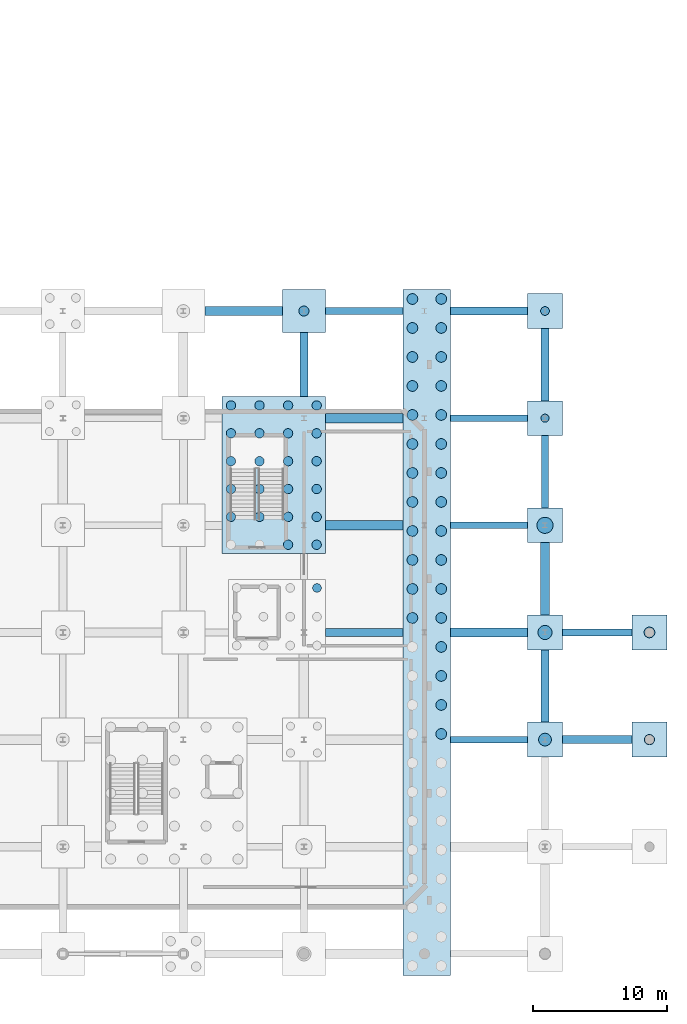
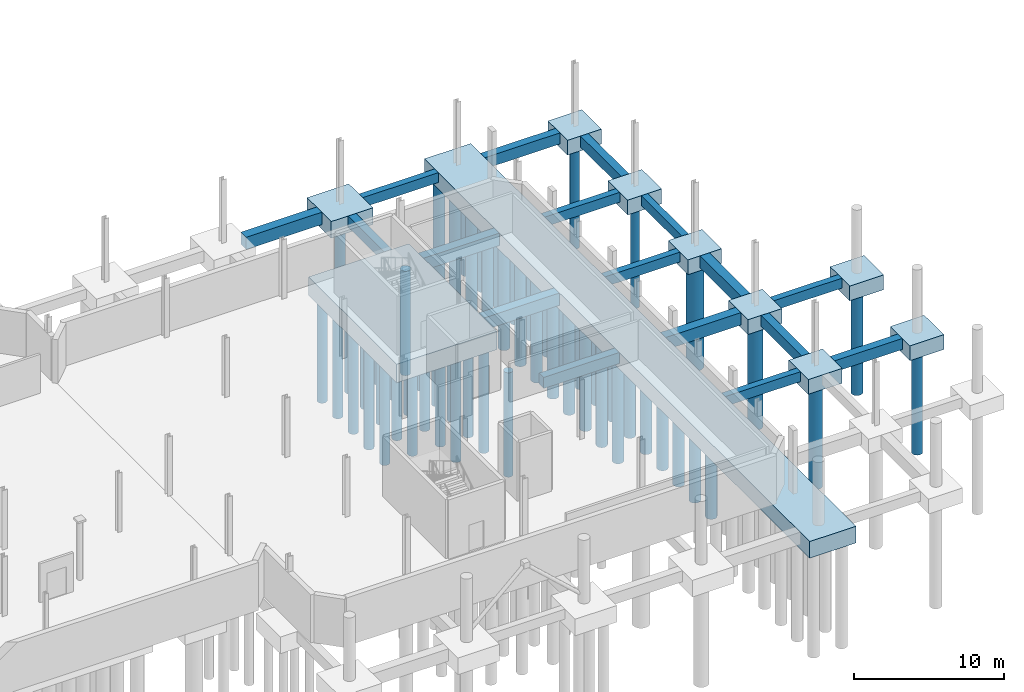
# One storey, part 9 of 37: 59 piles, 27 footings.
"""IFC4 building model written with IfcOpenShell, lengths in metres."""

import ifcopenshell
import ifcopenshell.guid

model = None  # the IFC model being written
_history = None  # IfcOwnerHistory: only IFC2X3 demands one
_inside = {}  # id of a spatial element -> (the spatial element, [elements in it])
_under = {}  # id of a project, library or spatial element -> (it, [spatial elements below it])
_declared = {}  # id of a project -> (the project, [libraries it declares])
_typed = {}  # id of a type object -> (the type object, [elements of that type])
_made_of = {}  # id of a material, layer set ... -> (it, [elements and type objects made of it])


def new_model(schema):
    """Start an empty IFC model of exactly this schema.

    Asked for "IFC4X3", IfcOpenShell would pick the latest addendum, in which some entities
    have other attributes; the version numbers below select the first issue.
    IFC2X3 requires an IfcOwnerHistory on every rooted entity: one is made here for all.
    """
    global model, _history
    if schema == "IFC4X3":
        model = ifcopenshell.file(schema_version=(4, 3, 0, 0))
    else:
        model = ifcopenshell.file(schema=schema)
    _inside.clear()
    _under.clear()
    _declared.clear()
    _typed.clear()
    _made_of.clear()
    _history = None
    if model.schema == "IFC2X3":
        org = make("IfcOrganization", Name="unknown")
        user = make(
            "IfcPersonAndOrganization",
            ThePerson=make("IfcPerson", FamilyName="unknown"),
            TheOrganization=org,
        )
        app = make(
            "IfcApplication",
            ApplicationDeveloper=org,
            Version="unknown",
            ApplicationFullName="unknown",
            ApplicationIdentifier="unknown",
        )
        _history = make(
            "IfcOwnerHistory",
            OwningUser=user,
            OwningApplication=app,
            ChangeAction="ADDED",
            CreationDate=0,
        )
    return model


def make(cls, **values):
    """One entity of the class cls with the attributes given. An attribute that is None is left unset."""
    return model.create_entity(
        cls, **{name: value for name, value in values.items() if value is not None}
    )


def rooted(cls, **values):
    """An entity with a GlobalId (a new one), such as an element, a storey or a relation."""
    return make(cls, GlobalId=ifcopenshell.guid.new(), OwnerHistory=_history, **values)


def si_unit(unit_type, name, prefix=None):
    """IfcSIUnit, for example si_unit("LENGTHUNIT", "METRE", prefix="MILLI")."""
    return make("IfcSIUnit", UnitType=unit_type, Prefix=prefix, Name=name)


def assignment(units):
    """IfcUnitAssignment: the units of a project."""
    return None if units is None else make("IfcUnitAssignment", Units=units)


def point(xyz):
    """IfcCartesianPoint."""
    return None if xyz is None else make("IfcCartesianPoint", Coordinates=xyz)


def direction(xyz):
    """IfcDirection."""
    return None if xyz is None else make("IfcDirection", DirectionRatios=xyz)


def frame(location, z_axis=None, x_axis=None):
    """IfcAxis2Placement3D, a coordinate frame: its origin and axes. An axis left out is left unset."""
    return make(
        "IfcAxis2Placement3D",
        Location=point(location),
        Axis=direction(z_axis),
        RefDirection=direction(x_axis),
    )


def frame_2d(location, x_axis=None):
    """IfcAxis2Placement2D, a coordinate frame in the plane: its origin and x axis."""
    return make(
        "IfcAxis2Placement2D", Location=point(location), RefDirection=direction(x_axis)
    )


def origin():
    """The frame at (0, 0, 0) with its axes left unset."""
    return frame((0.0, 0.0, 0.0))


def origin_2d():
    """The frame at (0, 0) in the plane with its x axis left unset."""
    return frame_2d((0.0, 0.0))


def place(relative_to, where):
    """IfcLocalPlacement: puts the frame where relative to a parent placement (None: the world)."""
    return make(
        "IfcLocalPlacement", PlacementRelTo=relative_to, RelativePlacement=where
    )


def context(
    kind, dimensions, precision=None, world=None, true_north=None, identifier=None
):
    """IfcGeometricRepresentationContext, for example the 3D "Model" context."""
    return make(
        "IfcGeometricRepresentationContext",
        ContextIdentifier=identifier,
        ContextType=kind,
        CoordinateSpaceDimension=dimensions,
        Precision=precision,
        WorldCoordinateSystem=world,
        TrueNorth=true_north,
    )


def subcontext(parent, identifier, kind, view, scale=None):
    """IfcGeometricRepresentationSubContext, for example "Body" below "Model"."""
    return make(
        "IfcGeometricRepresentationSubContext",
        ContextIdentifier=identifier,
        ContextType=kind,
        ParentContext=parent,
        TargetScale=scale,
        TargetView=view,
    )


def project(units=None, contexts=None):
    """IfcProject with its units and contexts."""
    return rooted(
        "IfcProject",
        Name="project",
        RepresentationContexts=contexts,
        UnitsInContext=assignment(units),
    )


def spatial(cls, under=None, at=None, **own):
    """A site, building, storey or space (cls), placed at a placement, below another one or the project."""
    s = rooted(cls, ObjectPlacement=at, **own)
    if under is not None:
        _under.setdefault(under.id(), (under, []))[1].append(s)
    return s


def polyline(points):
    """IfcPolyline through the points."""
    return make("IfcPolyline", Points=[point(p) for p in points])


def profile(cls, at=None, kind="AREA", **sizes):
    """A parametric profile (cls). Its sizes go by their IFC names, for example OverallWidth=200.0."""
    return make(cls, ProfileType=kind, Position=at, **sizes)


def rectangle(**sizes):
    """IfcRectangleProfileDef."""
    return profile("IfcRectangleProfileDef", **sizes)


def circle(**sizes):
    """IfcCircleProfileDef."""
    return profile("IfcCircleProfileDef", **sizes)


def outline(outer, holes=None, kind="AREA"):
    """IfcArbitraryClosedProfileDef: a profile drawn as a closed curve; with holes, ...WithVoids."""
    if holes is None:
        return make("IfcArbitraryClosedProfileDef", ProfileType=kind, OuterCurve=outer)
    return make(
        "IfcArbitraryProfileDefWithVoids",
        ProfileType=kind,
        OuterCurve=outer,
        InnerCurves=holes,
    )


def extrude(swept, where, along, depth):
    """IfcExtrudedAreaSolid: the profile swept, set in the frame where, extruded along a direction by depth."""
    return make(
        "IfcExtrudedAreaSolid",
        SweptArea=swept,
        Position=where,
        ExtrudedDirection=direction(along),
        Depth=depth,
    )


def shape(context_of_items, identifier, shape_type, items):
    """IfcShapeRepresentation: the items that make up one representation, for example the "Body"."""
    return make(
        "IfcShapeRepresentation",
        ContextOfItems=context_of_items,
        RepresentationIdentifier=identifier,
        RepresentationType=shape_type,
        Items=items,
    )


def material(Name=None, Category=None):
    """IfcMaterial."""
    return make("IfcMaterial", Name=Name, Category=Category)


def material_profile(
    of_material, cross_section, Name=None, Category=None, Priority=None
):
    """IfcMaterialProfile: a cross section and its material."""
    return make(
        "IfcMaterialProfile",
        Name=Name,
        Material=of_material,
        Profile=cross_section,
        Priority=Priority,
        Category=Category,
    )


def profile_set(profiles, Name=None, composite=None):
    """IfcMaterialProfileSet."""
    return make(
        "IfcMaterialProfileSet",
        Name=Name,
        MaterialProfiles=profiles,
        CompositeProfile=composite,
    )


def made_of(thing, what):
    """Note that an element or type object is made of a material, layer set ...; save() writes the relation."""
    if what is not None:
        _made_of.setdefault(what.id(), (what, []))[1].append(thing)
    return thing


def type_object(cls, material=None, **own):
    """A type object (cls), such as IfcWallType, which elements share."""
    return made_of(rooted(cls, **own), material)


def element(
    cls,
    number,
    at=None,
    inside=None,
    cuts=None,
    type_object=None,
    material=None,
    context=None,
    identifier="Body",
    shape_type=None,
    held_by="IfcProductDefinitionShape",
    body=None,
    shapes=None,
    **own,
):
    """One element of the class cls, such as IfcWall. Its Tag is "e" and its number.

    at: its placement. inside: the storey or other place that contains it. cuts: it is an
    opening in that element (IfcRelVoidsElement). A single representation is given by context,
    identifier, shape_type and body (its items); several are given by shapes. held_by: the class
    of the entity that holds the representations. save() writes the other relations.
    """
    e = rooted(cls, Tag="e%d" % number, ObjectPlacement=at, **own)
    if body is not None:
        shapes = [shape(context, identifier, shape_type, body)]
    if shapes is not None:
        e.Representation = make(held_by, Representations=shapes)
    if inside is not None:
        _inside.setdefault(inside.id(), (inside, []))[1].append(e)
    if cuts is not None:
        rooted(
            "IfcRelVoidsElement", RelatingBuildingElement=cuts, RelatedOpeningElement=e
        )
    if type_object is not None:
        _typed.setdefault(type_object.id(), (type_object, []))[1].append(e)
    return made_of(e, material)


def aggregate(whole, parts):
    """IfcRelAggregates: a whole, such as a stair, and the parts it consists of."""
    return rooted("IfcRelAggregates", RelatingObject=whole, RelatedObjects=parts)


def save(model, path):
    """Write the relations noted so far, then the file.

    IfcRelAggregates (storeys below a building ...), IfcRelContainedInSpatialStructure (elements
    in a storey), IfcRelDefinesByType, IfcRelAssociatesMaterial and IfcRelDeclares: one each for
    every whole, place, type object, material and project.
    """
    for whole, parts in _under.values():
        aggregate(whole, parts)
    for where, things in _inside.values():
        rooted(
            "IfcRelContainedInSpatialStructure",
            RelatedElements=things,
            RelatingStructure=where,
        )
    for kind, things in _typed.values():
        rooted("IfcRelDefinesByType", RelatedObjects=things, RelatingType=kind)
    for what, things in _made_of.values():
        rooted("IfcRelAssociatesMaterial", RelatedObjects=things, RelatingMaterial=what)
    for by, libraries in _declared.values():
        rooted("IfcRelDeclares", RelatingContext=by, RelatedDefinitions=libraries)
    model.write(path)


model = new_model("IFC4")

# Units and contexts
model_context = context("Model", 3, precision=1e-05, world=origin(), true_north=direction((0.0, 1.0)))
body_context = subcontext(model_context, "Body", "Model", "MODEL_VIEW")
ifc_project = project(units=[si_unit("LENGTHUNIT", "METRE"), si_unit("AREAUNIT", "SQUARE_METRE"), si_unit("VOLUMEUNIT", "CUBIC_METRE"), si_unit("PLANEANGLEUNIT", "RADIAN"), si_unit("MASSUNIT", "GRAM", prefix="KILO"), si_unit("THERMODYNAMICTEMPERATUREUNIT", "KELVIN"), si_unit("POWERUNIT", "WATT")], contexts=[model_context])

# Site, building, storey
site_placement = place(None, origin())
site = spatial("IfcSite", under=ifc_project, at=site_placement, CompositionType="ELEMENT")
building_placement = place(site_placement, origin())
building = spatial("IfcBuilding", under=site, at=building_placement, Name="Zelmaris Science Centre", CompositionType="ELEMENT")
storey_placement = place(building_placement, frame((0.0, 0.0, -4.800048828125)))
storey = spatial("IfcBuildingStorey", under=building, at=storey_placement, Name="B1", CompositionType="ELEMENT", Elevation=-4.800048828125)

# Footings
ifc_material = material(Name="Concrete C40/50", Category="concrete")
ifc_material_profile_1 = material_profile(ifc_material, rectangle(XDim=0.5, YDim=0.800048828125, at=origin_2d()), Name="FB-500X800")
ifc_profile_set_1 = profile_set([ifc_material_profile_1], Name="Concrete C40/50")
footing_type_1 = type_object("IfcFootingType", Name="Foundation Tie Beam FB-01 500x800", PredefinedType="FOOTING_BEAM", material=ifc_profile_set_1)
footing_1_placement = place(storey_placement, frame((153.0, 41.300048828125, -0.75), z_axis=(0.0, 1.0, 0.0), x_axis=(-1.0, 0.0, 0.0)))
element("IfcFooting", 1, at=footing_1_placement, inside=storey, type_object=footing_type_1, Name="Foundation tie beam 82", PredefinedType="FOOTING_BEAM", context=body_context, shape_type="SweptSolid", body=[
    extrude(rectangle(XDim=0.5, YDim=0.800048828125, at=origin_2d()), origin(), (0.0, 0.0, 1.0), 5.39990234375),
])
footing_2_placement = place(storey_placement, frame((145.949951171875, 24.0, -0.75), z_axis=(1.0, 0.0, 0.0), x_axis=(0.0, 1.0, 0.0)))
element("IfcFooting", 2, at=footing_2_placement, inside=storey, type_object=footing_type_1, Name="Foundation tie beam 124", PredefinedType="FOOTING_BEAM", context=body_context, shape_type="SweptSolid", body=[
    extrude(rectangle(XDim=0.5, YDim=0.800048828125, at=origin_2d()), origin(), (0.0, 0.0, 1.0), 5.75),
])
footing_3_placement = place(storey_placement, frame((154.300048828125, 32.0, -0.75), z_axis=(1.0, 0.0, 0.0), x_axis=(0.0, 1.0, 0.0)))
element("IfcFooting", 3, at=footing_3_placement, inside=storey, type_object=footing_type_1, Name="Foundation tie beam 142", PredefinedType="FOOTING_BEAM", context=body_context, shape_type="SweptSolid", body=[
    extrude(rectangle(XDim=0.5, YDim=0.800048828125, at=origin_2d()), origin(), (0.0, 0.0, 1.0), 5.199951171875),
])
for number, where, z_axis, x_axis, name in (
    (4, (145.949951171875, 40.0, -0.75), (1.0, 0.0, 0.0), (0.0, 1.0, 0.0), "Foundation tie beam 154"),
    (5, (145.949951171875, 48.0, -0.75), (1.0, 0.0, 0.0), (0.0, 1.0, 0.0), "Foundation tie beam 163"),
):
    element("IfcFooting", number, at=place(storey_placement, frame(where, z_axis=z_axis, x_axis=x_axis)), inside=storey, type_object=footing_type_1, Name=name, PredefinedType="FOOTING_BEAM", context=body_context, shape_type="SweptSolid", body=[
        extrude(rectangle(XDim=0.5, YDim=0.800048828125, at=origin_2d()), origin(), (0.0, 0.0, 1.0), 5.75),
    ])
footing_4_placement = place(storey_placement, frame((136.60009765625, 56.0, -0.75), z_axis=(1.0, 0.0, 0.0), x_axis=(0.0, 1.0, 0.0)))
element("IfcFooting", 6, at=footing_4_placement, inside=storey, type_object=footing_type_1, Name="Foundation tie beam 169", PredefinedType="FOOTING_BEAM", context=body_context, shape_type="SweptSolid", body=[
    extrude(rectangle(XDim=0.5, YDim=0.800048828125, at=origin_2d()), origin(), (0.0, 0.0, 1.0), 5.7998046875),
])
ifc_material_profile_2 = material_profile(ifc_material, rectangle(XDim=0.60009765625, YDim=0.89990234375, at=origin_2d()), Name="FB-600X900")
ifc_profile_set_2 = profile_set([ifc_material_profile_2], Name="Concrete C40/50")
footing_type_2 = type_object("IfcFootingType", Name="Foundation Tie Beam FB-02 600x900", PredefinedType="FOOTING_BEAM", material=ifc_profile_set_2)
footing_5_placement = place(storey_placement, frame((135.0, 49.60009765625, -0.800048828125), z_axis=(0.0, 1.0, 0.0), x_axis=(-1.0, 0.0, 0.0)))
element("IfcFooting", 7, at=footing_5_placement, inside=storey, type_object=footing_type_2, Name="Foundation tie beam 77", PredefinedType="FOOTING_BEAM", context=body_context, shape_type="SweptSolid", body=[
    extrude(rectangle(XDim=0.60009765625, YDim=0.89990234375, at=origin_2d()), origin(), (0.0, 0.0, 1.0), 4.7998046875),
])
for number, where, z_axis, x_axis, name in (
    (8, (153.0, 25.300048828125, -0.800048828125), (0.0, 1.0, 0.0), (-1.0, 0.0, 0.0), "Foundation tie beam 80"),
    (9, (153.0, 49.300048828125, -0.800048828125), (0.0, 1.0, 0.0), (-1.0, 0.0, 0.0), "Foundation tie beam 83"),
):
    element("IfcFooting", number, at=place(storey_placement, frame(where, z_axis=z_axis, x_axis=x_axis)), inside=storey, type_object=footing_type_2, Name=name, PredefinedType="FOOTING_BEAM", context=body_context, shape_type="SweptSolid", body=[
        extrude(rectangle(XDim=0.60009765625, YDim=0.89990234375, at=origin_2d()), origin(), (0.0, 0.0, 1.0), 5.39990234375),
    ])
footing_6_placement = place(storey_placement, frame((154.300048828125, 24.0, -0.800048828125), z_axis=(1.0, 0.0, 0.0), x_axis=(0.0, 1.0, 0.0)))
element("IfcFooting", 10, at=footing_6_placement, inside=storey, type_object=footing_type_2, Name="Foundation tie beam 125", PredefinedType="FOOTING_BEAM", context=body_context, shape_type="SweptSolid", body=[
    extrude(rectangle(XDim=0.60009765625, YDim=0.89990234375, at=origin_2d()), origin(), (0.0, 0.0, 1.0), 5.199951171875),
])
footing_7_placement = place(storey_placement, frame((136.60009765625, 32.0, -0.800048828125), z_axis=(1.0, 0.0, 0.0), x_axis=(0.0, 1.0, 0.0)))
element("IfcFooting", 11, at=footing_7_placement, inside=storey, type_object=footing_type_2, Name="Foundation tie beam 140", PredefinedType="FOOTING_BEAM", context=body_context, shape_type="SweptSolid", body=[
    extrude(rectangle(XDim=0.60009765625, YDim=0.89990234375, at=origin_2d()), origin(), (0.0, 0.0, 1.0), 5.7998046875),
])
footing_8_placement = place(storey_placement, frame((145.949951171875, 56.0, -0.800048828125), z_axis=(1.0, 0.0, 0.0), x_axis=(0.0, 1.0, 0.0)))
element("IfcFooting", 12, at=footing_8_placement, inside=storey, type_object=footing_type_2, Name="Foundation tie beam 170", PredefinedType="FOOTING_BEAM", context=body_context, shape_type="SweptSolid", body=[
    extrude(rectangle(XDim=0.60009765625, YDim=0.89990234375, at=origin_2d()), origin(), (0.0, 0.0, 1.0), 5.75),
])
ifc_material_profile_3 = material_profile(ifc_material, rectangle(XDim=0.699951171875, YDim=1.0, at=origin_2d()), Name="FB-700X1000")
ifc_profile_set_3 = profile_set([ifc_material_profile_3], Name="Concrete C40/50")
footing_type_3 = type_object("IfcFootingType", Name="Foundation Tie Beam FB-03 700x1000", PredefinedType="FOOTING_BEAM", material=ifc_profile_set_3)
footing_9_placement = place(storey_placement, frame((153.0, 33.300048828125, -0.849853515625), z_axis=(0.0, 1.0, 0.0), x_axis=(-1.0, 0.0, 0.0)))
element("IfcFooting", 13, at=footing_9_placement, inside=storey, type_object=footing_type_3, Name="Foundation tie beam 81", PredefinedType="FOOTING_BEAM", context=body_context, shape_type="SweptSolid", body=[
    extrude(rectangle(XDim=0.699951171875, YDim=1.0, at=origin_2d()), origin(), (0.0, 0.0, 1.0), 5.39990234375),
])
footing_10_placement = place(storey_placement, frame((145.949951171875, 32.0, -0.849853515625), z_axis=(1.0, 0.0, 0.0), x_axis=(0.0, 1.0, 0.0)))
element("IfcFooting", 14, at=footing_10_placement, inside=storey, type_object=footing_type_3, Name="Foundation tie beam 141", PredefinedType="FOOTING_BEAM", context=body_context, shape_type="SweptSolid", body=[
    extrude(rectangle(XDim=0.699951171875, YDim=1.0, at=origin_2d()), origin(), (0.0, 0.0, 1.0), 5.75),
])
for number, where, z_axis, x_axis, name in (
    (15, (136.60009765625, 40.0, -0.849853515625), (1.0, 0.0, 0.0), (0.0, 1.0, 0.0), "Foundation tie beam 153"),
    (16, (136.60009765625, 48.0, -0.849853515625), (1.0, 0.0, 0.0), (0.0, 1.0, 0.0), "Foundation tie beam 162"),
    (17, (127.60009765625, 56.0, -0.849853515625), (1.0, 0.0, 0.0), (0.0, 1.0, 0.0), "Foundation tie beam 168"),
):
    element("IfcFooting", number, at=place(storey_placement, frame(where, z_axis=z_axis, x_axis=x_axis)), inside=storey, type_object=footing_type_3, Name=name, PredefinedType="FOOTING_BEAM", context=body_context, shape_type="SweptSolid", body=[
        extrude(rectangle(XDim=0.699951171875, YDim=1.0, at=origin_2d()), origin(), (0.0, 0.0, 1.0), 5.7998046875),
    ])
footing_type_4 = type_object("IfcFootingType", Name="Pile Cap PCM-2626 2600x2600x1200", PredefinedType="PILE_CAP", material=ifc_material)
footing_11_placement = place(storey_placement, frame((0.0, 0.0, -1.550048828125)))
element("IfcFooting", 18, at=footing_11_placement, inside=storey, type_object=footing_type_4, Name="Pile cap 88", PredefinedType="PILE_CAP", context=body_context, shape_type="SweptSolid", body=[
    extrude(outline(polyline([(151.699951171875, 22.699951171875), (154.300048828125, 22.699951171875), (154.300048828125, 25.300048828125), (151.699951171875, 25.300048828125), (151.699951171875, 22.699951171875)])), origin(), (0.0, 0.0, 1.0), 1.2001953125),
])
footing_12_placement = place(storey_placement, frame((0.0, 0.0, -1.550048828125)))
element("IfcFooting", 19, at=footing_12_placement, inside=storey, type_object=footing_type_4, Name="Pile cap 89", PredefinedType="PILE_CAP", context=body_context, shape_type="SweptSolid", body=[
    extrude(outline(polyline([(151.699951171875, 30.699951171875), (154.300048828125, 30.699951171875), (154.300048828125, 33.300048828125), (151.699951171875, 33.300048828125), (151.699951171875, 30.699951171875)])), origin(), (0.0, 0.0, 1.0), 1.2001953125),
])
footing_13_placement = place(storey_placement, frame((0.0, 0.0, -1.550048828125)))
element("IfcFooting", 20, at=footing_13_placement, inside=storey, type_object=footing_type_4, Name="Pile cap 90", PredefinedType="PILE_CAP", context=body_context, shape_type="SweptSolid", body=[
    extrude(outline(polyline([(151.699951171875, 38.699951171875), (154.300048828125, 38.699951171875), (154.300048828125, 41.300048828125), (151.699951171875, 41.300048828125), (151.699951171875, 38.699951171875)])), origin(), (0.0, 0.0, 1.0), 1.2001953125),
])
footing_14_placement = place(storey_placement, frame((0.0, 0.0, -1.550048828125)))
element("IfcFooting", 21, at=footing_14_placement, inside=storey, type_object=footing_type_4, Name="Pile cap 91", PredefinedType="PILE_CAP", context=body_context, shape_type="SweptSolid", body=[
    extrude(outline(polyline([(151.699951171875, 46.699951171875), (154.300048828125, 46.699951171875), (154.300048828125, 49.300048828125), (151.699951171875, 49.300048828125), (151.699951171875, 46.699951171875)])), origin(), (0.0, 0.0, 1.0), 1.2001953125),
])
footing_15_placement = place(storey_placement, frame((0.0, 0.0, -1.550048828125)))
element("IfcFooting", 22, at=footing_15_placement, inside=storey, type_object=footing_type_4, Name="Pile cap 92", PredefinedType="PILE_CAP", context=body_context, shape_type="SweptSolid", body=[
    extrude(outline(polyline([(151.699951171875, 54.699951171875), (154.300048828125, 54.699951171875), (154.300048828125, 57.300048828125), (151.699951171875, 57.300048828125), (151.699951171875, 54.699951171875)])), origin(), (0.0, 0.0, 1.0), 1.2001953125),
])
footing_16_placement = place(storey_placement, frame((0.0, 0.0, -1.550048828125)))
element("IfcFooting", 23, at=footing_16_placement, inside=storey, type_object=footing_type_4, Name="Pile cap 94", PredefinedType="PILE_CAP", context=body_context, shape_type="SweptSolid", body=[
    extrude(outline(polyline([(159.5, 22.699951171875), (162.10009765625, 22.699951171875), (162.10009765625, 25.300048828125), (159.5, 25.300048828125), (159.5, 22.699951171875)])), origin(), (0.0, 0.0, 1.0), 1.2001953125),
])
footing_17_placement = place(storey_placement, frame((0.0, 0.0, -1.550048828125)))
element("IfcFooting", 24, at=footing_17_placement, inside=storey, type_object=footing_type_4, Name="Pile cap 95", PredefinedType="PILE_CAP", context=body_context, shape_type="SweptSolid", body=[
    extrude(outline(polyline([(159.5, 30.699951171875), (162.10009765625, 30.699951171875), (162.10009765625, 33.300048828125), (159.5, 33.300048828125), (159.5, 30.699951171875)])), origin(), (0.0, 0.0, 1.0), 1.2001953125),
])
footing_type_5 = type_object("IfcFootingType", Name="Pile Cap PCM-3232 3200x3200x1350", PredefinedType="PILE_CAP", material=ifc_material)
footing_18_placement = place(storey_placement, frame((0.0, 0.0, -1.699951171875)))
element("IfcFooting", 25, at=footing_18_placement, inside=storey, type_object=footing_type_5, Name="Pile cap 84", PredefinedType="PILE_CAP", context=body_context, shape_type="SweptSolid", body=[
    extrude(outline(polyline([(133.39990234375, 54.39990234375), (136.60009765625, 54.39990234375), (136.60009765625, 57.60009765625), (133.39990234375, 57.60009765625), (133.39990234375, 54.39990234375)])), origin(), (0.0, 0.0, 1.0), 1.35009765625),
])
footing_type_6 = type_object("IfcFootingType", Name="Pile Cap PCM-36512 3600x51200x1350", PredefinedType="PILE_CAP", material=ifc_material)
footing_19_placement = place(storey_placement, frame((0.0, 0.0, -1.699951171875)))
element("IfcFooting", 26, at=footing_19_placement, inside=storey, type_object=footing_type_6, Name="Pile cap 85", PredefinedType="PILE_CAP", context=body_context, shape_type="SweptSolid", body=[
    extrude(outline(polyline([(142.39990234375, 6.39990234375), (145.949951171875, 6.39990234375), (145.949951171875, 57.60009765625), (142.39990234375, 57.60009765625), (142.39990234375, 6.39990234375)])), origin(), (0.0, 0.0, 1.0), 1.35009765625),
])
footing_type_7 = type_object("IfcFootingType", Name="Pile Cap PCM-77117 7700x11700x1500", PredefinedType="PILE_CAP", material=ifc_material)
footing_20_placement = place(storey_placement, frame((0.0, 0.0, -1.849853515625)))
element("IfcFooting", 27, at=footing_20_placement, inside=storey, type_object=footing_type_7, Name="Pile cap 83", PredefinedType="PILE_CAP", context=body_context, shape_type="SweptSolid", body=[
    extrude(outline(polyline([(128.89990234375, 37.89990234375), (136.60009765625, 37.89990234375), (136.60009765625, 49.60009765625), (128.89990234375, 49.60009765625), (128.89990234375, 37.89990234375)])), origin(), (0.0, 0.0, 1.0), 1.5),
])

# Piles
ifc_material_profile_4 = material_profile(ifc_material, circle(Radius=0.52490234375, at=origin_2d()), Name="PILE-1050")
ifc_profile_set_4 = profile_set([ifc_material_profile_4], Name="Concrete C40/50")
pile_type_1 = type_object("IfcPileType", Name="Pile PL-1050 D1050", PredefinedType="BORED", material=ifc_profile_set_4)
pile_1_placement = place(storey_placement, frame((153.0, 32.0, -1.429931640625), z_axis=(0.0, 0.0, -1.0), x_axis=(1.0, 0.0, 0.0)))
element("IfcPile", 28, at=pile_1_placement, inside=storey, type_object=pile_type_1, Name="Bored pile 89-1", PredefinedType="BORED", context=body_context, shape_type="SweptSolid", body=[
    extrude(circle(Radius=0.52490234375, at=origin_2d()), origin(), (0.0, 0.0, 1.0), 8.77001953125),
])
ifc_material_profile_5 = material_profile(ifc_material, circle(Radius=0.60009765625, at=origin_2d()), Name="PILE-1200")
ifc_profile_set_5 = profile_set([ifc_material_profile_5], Name="Concrete C40/50")
pile_type_2 = type_object("IfcPileType", Name="Pile PL-1200 D1200", PredefinedType="BORED", material=ifc_profile_set_5)
pile_2_placement = place(storey_placement, frame((153.0, 40.0, -1.429931640625), z_axis=(0.0, 0.0, -1.0), x_axis=(1.0, 0.0, 0.0)))
element("IfcPile", 29, at=pile_2_placement, inside=storey, type_object=pile_type_2, Name="Bored pile 90-1", PredefinedType="BORED", context=body_context, shape_type="SweptSolid", body=[
    extrude(circle(Radius=0.60009765625, at=origin_2d()), origin(), (0.0, 0.0, 1.0), 8.77001953125),
])
ifc_material_profile_6 = material_profile(ifc_material, circle(Radius=0.300048828125, at=origin_2d()), Name="PILE-600")
ifc_profile_set_6 = profile_set([ifc_material_profile_6], Name="Concrete C40/50")
pile_type_3 = type_object("IfcPileType", Name="Pile PL-600 D600", PredefinedType="BORED", material=ifc_profile_set_6)
pile_3_placement = place(storey_placement, frame((153.0, 48.0, -1.429931640625), z_axis=(0.0, 0.0, -1.0), x_axis=(1.0, 0.0, 0.0)))
element("IfcPile", 30, at=pile_3_placement, inside=storey, type_object=pile_type_3, Name="Bored pile 91-1", PredefinedType="BORED", context=body_context, shape_type="SweptSolid", body=[
    extrude(circle(Radius=0.300048828125, at=origin_2d()), origin(), (0.0, 0.0, 1.0), 8.77001953125),
])
ifc_material_profile_7 = material_profile(ifc_material, circle(Radius=0.324951171875, at=origin_2d()), Name="PILE-650")
ifc_profile_set_7 = profile_set([ifc_material_profile_7], Name="Concrete C40/50")
pile_type_4 = type_object("IfcPileType", Name="Pile PL-650 D650", PredefinedType="BORED", material=ifc_profile_set_7)
pile_4_placement = place(storey_placement, frame((135.97509765625, 35.324951171875, -1.72998046875), z_axis=(0.0, 0.0, -1.0), x_axis=(1.0, 0.0, 0.0)))
element("IfcPile", 31, at=pile_4_placement, inside=storey, type_object=pile_type_4, Name="Bored pile 82-12", PredefinedType="BORED", context=body_context, shape_type="SweptSolid", body=[
    extrude(circle(Radius=0.324951171875, at=origin_2d()), origin(), (0.0, 0.0, 1.0), 8.469970703125),
])
pile_5_placement = place(storey_placement, frame((153.0, 56.0, -1.429931640625), z_axis=(0.0, 0.0, -1.0), x_axis=(1.0, 0.0, 0.0)))
element("IfcPile", 32, at=pile_5_placement, inside=storey, type_object=pile_type_4, Name="Bored pile 92-1", PredefinedType="BORED", context=body_context, shape_type="SweptSolid", body=[
    extrude(circle(Radius=0.324951171875, at=origin_2d()), origin(), (0.0, 0.0, 1.0), 8.77001953125),
])
ifc_material_profile_8 = material_profile(ifc_material, circle(Radius=0.35009765625, at=origin_2d()), Name="PILE-700")
ifc_profile_set_8 = profile_set([ifc_material_profile_8], Name="Concrete C40/50")
pile_type_5 = type_object("IfcPileType", Name="Pile PL-700 D700", PredefinedType="BORED", material=ifc_profile_set_8)
for number, where, z_axis, x_axis, name in (
    (33, (129.550048828125, 40.6298828125, -1.72998046875), (0.0, 0.0, -1.0), (1.0, 0.0, 0.0), "Bored pile 83-2"),
    (34, (129.550048828125, 42.7099609375, -1.72998046875), (0.0, 0.0, -1.0), (1.0, 0.0, 0.0), "Bored pile 83-3"),
    (35, (129.550048828125, 44.7900390625, -1.72998046875), (0.0, 0.0, -1.0), (1.0, 0.0, 0.0), "Bored pile 83-4"),
    (36, (129.550048828125, 46.8701171875, -1.72998046875), (0.0, 0.0, -1.0), (1.0, 0.0, 0.0), "Bored pile 83-5"),
    (37, (129.550048828125, 48.949951171875, -1.72998046875), (0.0, 0.0, -1.0), (1.0, 0.0, 0.0), "Bored pile 83-6"),
    (38, (131.683349609375, 40.6298828125, -1.72998046875), (0.0, 0.0, -1.0), (1.0, 0.0, 0.0), "Bored pile 83-8"),
    (39, (131.683349609375, 42.7099609375, -1.72998046875), (0.0, 0.0, -1.0), (1.0, 0.0, 0.0), "Bored pile 83-9"),
    (40, (131.683349609375, 44.7900390625, -1.72998046875), (0.0, 0.0, -1.0), (1.0, 0.0, 0.0), "Bored pile 83-10"),
    (41, (131.683349609375, 46.8701171875, -1.72998046875), (0.0, 0.0, -1.0), (1.0, 0.0, 0.0), "Bored pile 83-11"),
    (42, (131.683349609375, 48.949951171875, -1.72998046875), (0.0, 0.0, -1.0), (1.0, 0.0, 0.0), "Bored pile 83-12"),
    (43, (133.816650390625, 38.550048828125, -1.72998046875), (0.0, 0.0, -1.0), (1.0, 0.0, 0.0), "Bored pile 83-13"),
    (44, (133.816650390625, 40.6298828125, -1.72998046875), (0.0, 0.0, -1.0), (1.0, 0.0, 0.0), "Bored pile 83-14"),
    (45, (133.816650390625, 42.7099609375, -1.72998046875), (0.0, 0.0, -1.0), (1.0, 0.0, 0.0), "Bored pile 83-15"),
    (46, (133.816650390625, 44.7900390625, -1.72998046875), (0.0, 0.0, -1.0), (1.0, 0.0, 0.0), "Bored pile 83-16"),
    (47, (133.816650390625, 46.8701171875, -1.72998046875), (0.0, 0.0, -1.0), (1.0, 0.0, 0.0), "Bored pile 83-17"),
    (48, (133.816650390625, 48.949951171875, -1.72998046875), (0.0, 0.0, -1.0), (1.0, 0.0, 0.0), "Bored pile 83-18"),
    (49, (135.949951171875, 38.550048828125, -1.72998046875), (0.0, 0.0, -1.0), (1.0, 0.0, 0.0), "Bored pile 83-19"),
    (50, (135.949951171875, 40.6298828125, -1.72998046875), (0.0, 0.0, -1.0), (1.0, 0.0, 0.0), "Bored pile 83-20"),
    (51, (135.949951171875, 42.7099609375, -1.72998046875), (0.0, 0.0, -1.0), (1.0, 0.0, 0.0), "Bored pile 83-21"),
    (52, (135.949951171875, 44.7900390625, -1.72998046875), (0.0, 0.0, -1.0), (1.0, 0.0, 0.0), "Bored pile 83-22"),
    (53, (135.949951171875, 46.8701171875, -1.72998046875), (0.0, 0.0, -1.0), (1.0, 0.0, 0.0), "Bored pile 83-23"),
    (54, (135.949951171875, 48.949951171875, -1.72998046875), (0.0, 0.0, -1.0), (1.0, 0.0, 0.0), "Bored pile 83-24"),
):
    element("IfcPile", number, at=place(storey_placement, frame(where, z_axis=z_axis, x_axis=x_axis)), inside=storey, type_object=pile_type_5, Name=name, PredefinedType="BORED", context=body_context, shape_type="SweptSolid", body=[
        extrude(circle(Radius=0.35009765625, at=origin_2d()), origin(), (0.0, 0.0, 1.0), 8.469970703125),
    ])
ifc_material_profile_9 = material_profile(ifc_material, circle(Radius=0.375, at=origin_2d()), Name="PILE-750")
ifc_profile_set_9 = profile_set([ifc_material_profile_9], Name="Concrete C40/50")
pile_type_6 = type_object("IfcPileType", Name="Pile PL-750 D750", PredefinedType="BORED", material=ifc_profile_set_9)
pile_6_placement = place(storey_placement, frame((135.0, 56.0, -1.579833984375), z_axis=(0.0, 0.0, -1.0), x_axis=(1.0, 0.0, 0.0)))
element("IfcPile", 55, at=pile_6_placement, inside=storey, type_object=pile_type_6, Name="Bored pile 84-1", PredefinedType="BORED", context=body_context, shape_type="SweptSolid", body=[
    extrude(circle(Radius=0.375, at=origin_2d()), origin(), (0.0, 0.0, 1.0), 8.6201171875),
])
pile_7_placement = place(storey_placement, frame((160.800048828125, 24.0, -1.429931640625), z_axis=(0.0, 0.0, -1.0), x_axis=(1.0, 0.0, 0.0)))
element("IfcPile", 56, at=pile_7_placement, inside=storey, type_object=pile_type_6, Name="Bored pile 94-1", PredefinedType="BORED", context=body_context, shape_type="SweptSolid", body=[
    extrude(circle(Radius=0.375, at=origin_2d()), origin(), (0.0, 0.0, 1.0), 8.77001953125),
])
ifc_material_profile_10 = material_profile(ifc_material, circle(Radius=0.39990234375, at=origin_2d()), Name="PILE-800")
ifc_profile_set_10 = profile_set([ifc_material_profile_10], Name="Concrete C40/50")
pile_type_7 = type_object("IfcPileType", Name="Pile PL-800 D800", PredefinedType="BORED", material=ifc_profile_set_10)
for number, where, z_axis, x_axis, name in (
    (57, (143.10009765625, 33.08251953125, -1.579833984375), (0.0, 0.0, -1.0), (1.0, 0.0, 0.0), "Bored pile 85-13"),
    (58, (143.10009765625, 35.247802734375, -1.579833984375), (0.0, 0.0, -1.0), (1.0, 0.0, 0.0), "Bored pile 85-14"),
    (59, (143.10009765625, 37.4130859375, -1.579833984375), (0.0, 0.0, -1.0), (1.0, 0.0, 0.0), "Bored pile 85-15"),
    (60, (143.10009765625, 39.578369140625, -1.579833984375), (0.0, 0.0, -1.0), (1.0, 0.0, 0.0), "Bored pile 85-16"),
    (61, (143.10009765625, 41.743408203125, -1.579833984375), (0.0, 0.0, -1.0), (1.0, 0.0, 0.0), "Bored pile 85-17"),
    (62, (143.10009765625, 43.90869140625, -1.579833984375), (0.0, 0.0, -1.0), (1.0, 0.0, 0.0), "Bored pile 85-18"),
    (63, (143.10009765625, 46.073974609375, -1.579833984375), (0.0, 0.0, -1.0), (1.0, 0.0, 0.0), "Bored pile 85-19"),
    (64, (143.10009765625, 48.239013671875, -1.579833984375), (0.0, 0.0, -1.0), (1.0, 0.0, 0.0), "Bored pile 85-20"),
    (65, (143.10009765625, 50.404296875, -1.579833984375), (0.0, 0.0, -1.0), (1.0, 0.0, 0.0), "Bored pile 85-21"),
    (66, (143.10009765625, 52.569580078125, -1.579833984375), (0.0, 0.0, -1.0), (1.0, 0.0, 0.0), "Bored pile 85-22"),
    (67, (143.10009765625, 54.73486328125, -1.579833984375), (0.0, 0.0, -1.0), (1.0, 0.0, 0.0), "Bored pile 85-23"),
    (68, (143.10009765625, 56.89990234375, -1.579833984375), (0.0, 0.0, -1.0), (1.0, 0.0, 0.0), "Bored pile 85-24"),
    (69, (145.25, 24.421630859375, -1.579833984375), (0.0, 0.0, -1.0), (1.0, 0.0, 0.0), "Bored pile 85-33"),
    (70, (145.25, 26.5869140625, -1.579833984375), (0.0, 0.0, -1.0), (1.0, 0.0, 0.0), "Bored pile 85-34"),
    (71, (145.25, 28.752197265625, -1.579833984375), (0.0, 0.0, -1.0), (1.0, 0.0, 0.0), "Bored pile 85-35"),
    (72, (145.25, 30.91748046875, -1.579833984375), (0.0, 0.0, -1.0), (1.0, 0.0, 0.0), "Bored pile 85-36"),
    (73, (145.25, 33.08251953125, -1.579833984375), (0.0, 0.0, -1.0), (1.0, 0.0, 0.0), "Bored pile 85-37"),
    (74, (145.25, 35.247802734375, -1.579833984375), (0.0, 0.0, -1.0), (1.0, 0.0, 0.0), "Bored pile 85-38"),
    (75, (145.25, 37.4130859375, -1.579833984375), (0.0, 0.0, -1.0), (1.0, 0.0, 0.0), "Bored pile 85-39"),
    (76, (145.25, 39.578369140625, -1.579833984375), (0.0, 0.0, -1.0), (1.0, 0.0, 0.0), "Bored pile 85-40"),
    (77, (145.25, 41.743408203125, -1.579833984375), (0.0, 0.0, -1.0), (1.0, 0.0, 0.0), "Bored pile 85-41"),
    (78, (145.25, 43.90869140625, -1.579833984375), (0.0, 0.0, -1.0), (1.0, 0.0, 0.0), "Bored pile 85-42"),
    (79, (145.25, 46.073974609375, -1.579833984375), (0.0, 0.0, -1.0), (1.0, 0.0, 0.0), "Bored pile 85-43"),
    (80, (145.25, 48.239013671875, -1.579833984375), (0.0, 0.0, -1.0), (1.0, 0.0, 0.0), "Bored pile 85-44"),
    (81, (145.25, 50.404296875, -1.579833984375), (0.0, 0.0, -1.0), (1.0, 0.0, 0.0), "Bored pile 85-45"),
    (82, (145.25, 52.569580078125, -1.579833984375), (0.0, 0.0, -1.0), (1.0, 0.0, 0.0), "Bored pile 85-46"),
    (83, (145.25, 54.73486328125, -1.579833984375), (0.0, 0.0, -1.0), (1.0, 0.0, 0.0), "Bored pile 85-47"),
    (84, (145.25, 56.89990234375, -1.579833984375), (0.0, 0.0, -1.0), (1.0, 0.0, 0.0), "Bored pile 85-48"),
):
    element("IfcPile", number, at=place(storey_placement, frame(where, z_axis=z_axis, x_axis=x_axis)), inside=storey, type_object=pile_type_7, Name=name, PredefinedType="BORED", context=body_context, shape_type="SweptSolid", body=[
        extrude(circle(Radius=0.39990234375, at=origin_2d()), origin(), (0.0, 0.0, 1.0), 8.6201171875),
    ])
pile_8_placement = place(storey_placement, frame((160.800048828125, 32.0, -1.429931640625), z_axis=(0.0, 0.0, -1.0), x_axis=(1.0, 0.0, 0.0)))
element("IfcPile", 85, at=pile_8_placement, inside=storey, type_object=pile_type_7, Name="Bored pile 95-1", PredefinedType="BORED", context=body_context, shape_type="SweptSolid", body=[
    extrude(circle(Radius=0.39990234375, at=origin_2d()), origin(), (0.0, 0.0, 1.0), 8.77001953125),
])
ifc_material_profile_11 = material_profile(ifc_material, circle(Radius=0.47509765625, at=origin_2d()), Name="PILE-950")
ifc_profile_set_11 = profile_set([ifc_material_profile_11], Name="Concrete C40/50")
pile_type_8 = type_object("IfcPileType", Name="Pile PL-950 D950", PredefinedType="BORED", material=ifc_profile_set_11)
pile_9_placement = place(storey_placement, frame((153.0, 24.0, -1.429931640625), z_axis=(0.0, 0.0, -1.0), x_axis=(1.0, 0.0, 0.0)))
element("IfcPile", 86, at=pile_9_placement, inside=storey, type_object=pile_type_8, Name="Bored pile 88-1", PredefinedType="BORED", context=body_context, shape_type="SweptSolid", body=[
    extrude(circle(Radius=0.47509765625, at=origin_2d()), origin(), (0.0, 0.0, 1.0), 8.77001953125),
])

save(model, "model.ifc")
